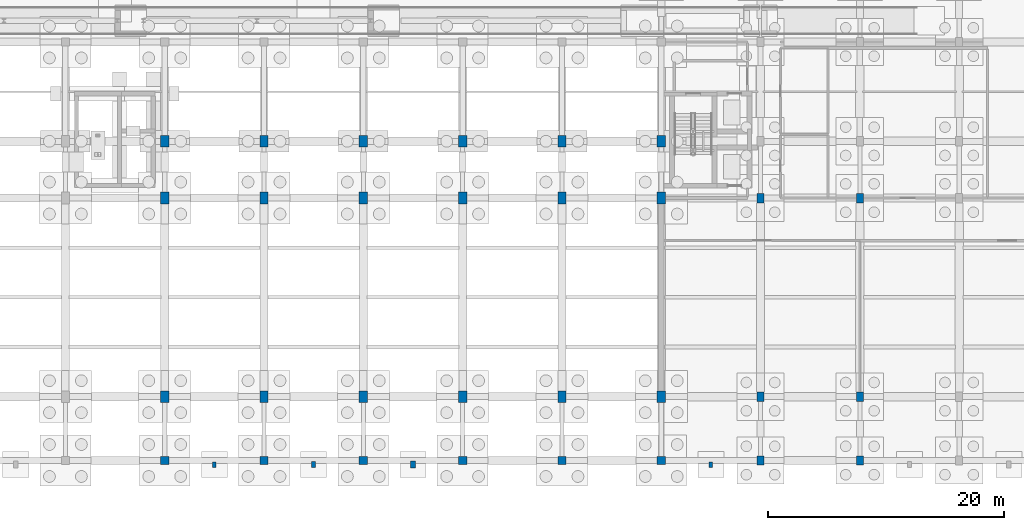
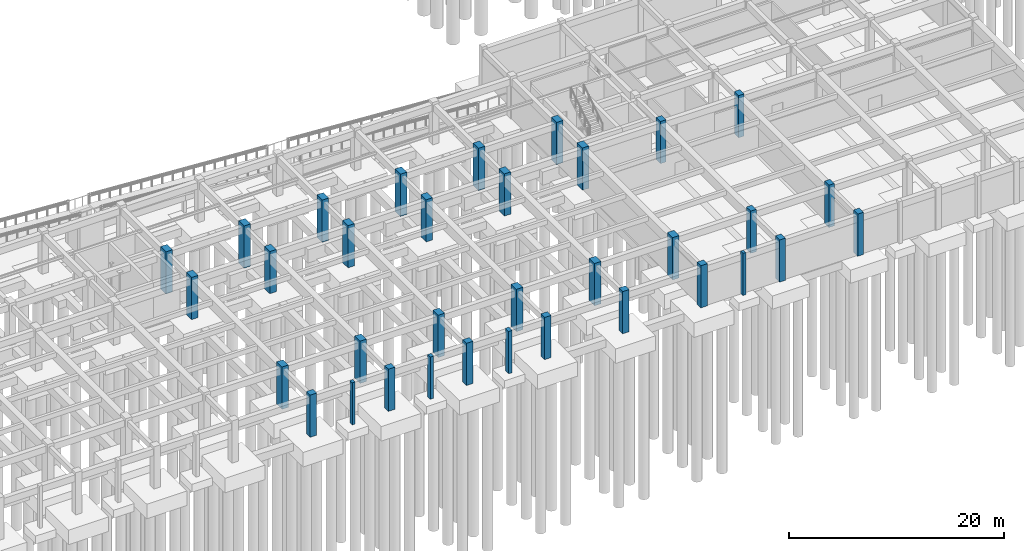
# One storey, part 18 of 49: 34 columns.
"""IFC4 building model written with IfcOpenShell, lengths in metres."""

from ifc_helpers import new_model, si_unit, direction, frame, origin, origin_2d, place, context, subcontext, project, spatial, rectangle, extrude, material, material_profile, profile_set, type_object, element, save


model = new_model("IFC4")

# Units and contexts
model_context = context("Model", 3, precision=1e-05, world=origin(), true_north=direction((0.0, 1.0)))
body_context = subcontext(model_context, "Body", "Model", "MODEL_VIEW")
ifc_project = project(units=[si_unit("LENGTHUNIT", "METRE"), si_unit("AREAUNIT", "SQUARE_METRE"), si_unit("VOLUMEUNIT", "CUBIC_METRE"), si_unit("PLANEANGLEUNIT", "RADIAN"), si_unit("MASSUNIT", "GRAM", prefix="KILO")], contexts=[model_context])

# Site, building, storey
site_placement = place(None, origin())
site = spatial("IfcSite", under=ifc_project, at=site_placement, CompositionType="ELEMENT")
building_placement = place(site_placement, origin())
building = spatial("IfcBuilding", under=site, at=building_placement, Name="Krzemoval Escarpment Law Courts", CompositionType="ELEMENT")
storey_placement = place(building_placement, frame((0.0, 0.0, -4.800048828125)))
storey = spatial("IfcBuildingStorey", under=building, at=storey_placement, Name="B1", CompositionType="ELEMENT", Elevation=-4.800048828125)

# Columns
ifc_material_1 = material(Name="Concrete C40/50", Category="concrete")
ifc_material_profile_1 = material_profile(ifc_material_1, rectangle(XDim=0.60009765625, YDim=0.800048828125, at=origin_2d()), Name="RC 600x800")
ifc_profile_set_1 = profile_set([ifc_material_profile_1], Name="Concrete C40/50")
column_type_1 = type_object("IfcColumnType", Name="COL-RC-600x800", PredefinedType="COLUMN", material=ifc_profile_set_1)
for number, where, z_axis, x_axis, name in (
    (1, (117.60009765625, 0.0, 0.0), (0.0, 0.0, 1.0), (1.0, 0.0, 0.0), "Column FC-B1-0160"),
    (2, (117.60009765625, 5.39990234375, 0.0), (0.0, 0.0, 1.0), (1.0, 0.0, 0.0), "Column FC-B1-0161"),
    (3, (117.60009765625, 22.199951171875, 0.0), (0.0, 0.0, 1.0), (1.0, 0.0, 0.0), "Column FC-B1-0162"),
    (4, (126.0, 0.0, 0.0), (0.0, 0.0, 1.0), (1.0, 0.0, 0.0), "Column FC-B1-0169"),
    (5, (126.0, 5.39990234375, 0.0), (0.0, 0.0, 1.0), (1.0, 0.0, 0.0), "Column FC-B1-0170"),
    (6, (126.0, 22.199951171875, 0.0), (0.0, 0.0, 1.0), (1.0, 0.0, 0.0), "Column FC-B1-0171"),
):
    element("IfcColumn", number, at=place(storey_placement, frame(where, z_axis=z_axis, x_axis=x_axis)), inside=storey, type_object=column_type_1, Name=name, PredefinedType="COLUMN", context=body_context, shape_type="SweptSolid", body=[
        extrude(rectangle(XDim=0.60009765625, YDim=0.800048828125, at=origin_2d()), origin(), (0.0, 0.0, 1.0), 4.800048828125),
    ])
ifc_material_2 = material(Name="Concrete C40/50", Category="concrete")
ifc_material_profile_2 = material_profile(ifc_material_2, rectangle(XDim=0.699951171875, YDim=0.699951171875, at=origin_2d()), Name="RC 700x700")
ifc_profile_set_2 = profile_set([ifc_material_profile_2], Name="Concrete C40/50")
column_type_2 = type_object("IfcColumnType", Name="COL-RC-700", PredefinedType="COLUMN", material=ifc_profile_set_2)
for number, where, z_axis, x_axis, name in (
    (7, (67.199951171875, 0.0, 0.0), (0.0, 0.0, 1.0), (1.0, 0.0, 0.0), "Column FC-B1-0111"),
    (8, (75.60009765625, 0.0, 0.0), (0.0, 0.0, 1.0), (1.0, 0.0, 0.0), "Column FC-B1-0119"),
    (9, (84.0, 0.0, 0.0), (0.0, 0.0, 1.0), (1.0, 0.0, 0.0), "Column FC-B1-0127"),
    (10, (92.39990234375, 0.0, 0.0), (0.0, 0.0, 1.0), (1.0, 0.0, 0.0), "Column FC-B1-0135"),
    (11, (100.800048828125, 0.0, 0.0), (0.0, 0.0, 1.0), (1.0, 0.0, 0.0), "Column FC-B1-0143"),
    (12, (109.199951171875, 0.0, 0.0), (0.0, 0.0, 1.0), (1.0, 0.0, 0.0), "Column FC-B1-0151"),
):
    element("IfcColumn", number, at=place(storey_placement, frame(where, z_axis=z_axis, x_axis=x_axis)), inside=storey, type_object=column_type_2, Name=name, PredefinedType="COLUMN", context=body_context, shape_type="SweptSolid", body=[
        extrude(rectangle(XDim=0.699951171875, YDim=0.699951171875, at=origin_2d()), origin(), (0.0, 0.0, 1.0), 4.800048828125),
    ])
ifc_material_3 = material(Name="Concrete C50/60", Category="concrete")
ifc_material_profile_3 = material_profile(ifc_material_3, rectangle(XDim=0.699951171875, YDim=1.0, at=origin_2d()), Name="RC 700x1000")
ifc_profile_set_3 = profile_set([ifc_material_profile_3], Name="Concrete C50/60")
column_type_3 = type_object("IfcColumnType", Name="COL-RC-700x1000", PredefinedType="COLUMN", material=ifc_profile_set_3)
for number, where, z_axis, x_axis, name in (
    (13, (67.199951171875, 5.39990234375, 0.0), (0.0, 0.0, 1.0), (1.0, 0.0, 0.0), "Column FC-B1-0112"),
    (14, (67.199951171875, 22.199951171875, 0.0), (0.0, 0.0, 1.0), (1.0, 0.0, 0.0), "Column FC-B1-0113"),
    (15, (67.199951171875, 27.0, 0.0), (0.0, 0.0, 1.0), (1.0, 0.0, 0.0), "Column FC-B1-0114"),
    (16, (75.60009765625, 5.39990234375, 0.0), (0.0, 0.0, 1.0), (1.0, 0.0, 0.0), "Column FC-B1-0120"),
    (17, (75.60009765625, 22.199951171875, 0.0), (0.0, 0.0, 1.0), (1.0, 0.0, 0.0), "Column FC-B1-0121"),
    (18, (75.60009765625, 27.0, 0.0), (0.0, 0.0, 1.0), (1.0, 0.0, 0.0), "Column FC-B1-0122"),
    (19, (84.0, 5.39990234375, 0.0), (0.0, 0.0, 1.0), (1.0, 0.0, 0.0), "Column FC-B1-0128"),
    (20, (84.0, 22.199951171875, 0.0), (0.0, 0.0, 1.0), (1.0, 0.0, 0.0), "Column FC-B1-0129"),
    (21, (84.0, 27.0, 0.0), (0.0, 0.0, 1.0), (1.0, 0.0, 0.0), "Column FC-B1-0130"),
    (22, (92.39990234375, 5.39990234375, 0.0), (0.0, 0.0, 1.0), (1.0, 0.0, 0.0), "Column FC-B1-0136"),
    (23, (92.39990234375, 22.199951171875, 0.0), (0.0, 0.0, 1.0), (1.0, 0.0, 0.0), "Column FC-B1-0137"),
    (24, (92.39990234375, 27.0, 0.0), (0.0, 0.0, 1.0), (1.0, 0.0, 0.0), "Column FC-B1-0138"),
    (25, (100.800048828125, 5.39990234375, 0.0), (0.0, 0.0, 1.0), (1.0, 0.0, 0.0), "Column FC-B1-0144"),
    (26, (100.800048828125, 22.199951171875, 0.0), (0.0, 0.0, 1.0), (1.0, 0.0, 0.0), "Column FC-B1-0145"),
    (27, (100.800048828125, 27.0, 0.0), (0.0, 0.0, 1.0), (1.0, 0.0, 0.0), "Column FC-B1-0146"),
    (28, (109.199951171875, 5.39990234375, 0.0), (0.0, 0.0, 1.0), (1.0, 0.0, 0.0), "Column FC-B1-0152"),
    (29, (109.199951171875, 22.199951171875, 0.0), (0.0, 0.0, 1.0), (1.0, 0.0, 0.0), "Column FC-B1-0153"),
    (30, (109.199951171875, 27.0, 0.0), (0.0, 0.0, 1.0), (1.0, 0.0, 0.0), "Column FC-B1-0154"),
):
    element("IfcColumn", number, at=place(storey_placement, frame(where, z_axis=z_axis, x_axis=x_axis)), inside=storey, type_object=column_type_3, Name=name, PredefinedType="COLUMN", context=body_context, shape_type="SweptSolid", body=[
        extrude(rectangle(XDim=0.699951171875, YDim=1.0, at=origin_2d()), origin(), (0.0, 0.0, 1.0), 4.800048828125),
    ])
ifc_material_4 = material(Name="Precast concrete C40/50", Category="concrete")
ifc_material_profile_4 = material_profile(ifc_material_4, rectangle(XDim=0.300048828125, YDim=0.449951171875, at=origin_2d()), Name="PIL 300x450")
ifc_profile_set_4 = profile_set([ifc_material_profile_4], Name="Precast concrete C40/50")
column_type_4 = type_object("IfcColumnType", Name="PIL-PC-300x450", PredefinedType="PILASTER", material=ifc_profile_set_4)
for number, where, z_axis, x_axis, name in (
    (31, (71.39990234375, -0.35009765625, 0.0), (0.0, 0.0, 1.0), (1.0, 0.0, 0.0), "Facade Pilaster PIL-B1-031"),
    (32, (113.39990234375, -0.35009765625, 0.0), (0.0, 0.0, 1.0), (1.0, 0.0, 0.0), "Facade Pilaster PIL-B1-046"),
):
    element("IfcColumn", number, at=place(storey_placement, frame(where, z_axis=z_axis, x_axis=x_axis)), inside=storey, type_object=column_type_4, Name=name, PredefinedType="PILASTER", context=body_context, shape_type="SweptSolid", body=[
        extrude(rectangle(XDim=0.300048828125, YDim=0.449951171875, at=origin_2d()), origin(), (0.0, 0.0, 1.0), 4.800048828125),
    ])
ifc_material_5 = material(Name="Precast concrete C40/50", Category="concrete")
ifc_material_profile_5 = material_profile(ifc_material_5, rectangle(XDim=0.35009765625, YDim=0.5, at=origin_2d()), Name="PIL 350x500")
ifc_profile_set_5 = profile_set([ifc_material_profile_5], Name="Precast concrete C40/50")
column_type_5 = type_object("IfcColumnType", Name="PIL-PC-350x500", PredefinedType="PILASTER", material=ifc_profile_set_5)
column_1_placement = place(storey_placement, frame((79.800048828125, -0.35009765625, 0.0), z_axis=(0.0, 0.0, 1.0), x_axis=(1.0, 0.0, 0.0)))
element("IfcColumn", 33, at=column_1_placement, inside=storey, type_object=column_type_5, Name="Facade Pilaster PIL-B1-036", PredefinedType="PILASTER", context=body_context, shape_type="SweptSolid", body=[
    extrude(rectangle(XDim=0.35009765625, YDim=0.5, at=origin_2d()), origin(), (0.0, 0.0, 1.0), 4.800048828125),
])
ifc_material_6 = material(Name="Precast concrete C40/50", Category="concrete")
ifc_material_profile_6 = material_profile(ifc_material_6, rectangle(XDim=0.39990234375, YDim=0.60009765625, at=origin_2d()), Name="PIL 400x600")
ifc_profile_set_6 = profile_set([ifc_material_profile_6], Name="Precast concrete C40/50")
column_type_6 = type_object("IfcColumnType", Name="PIL-PC-400x600", PredefinedType="PILASTER", material=ifc_profile_set_6)
column_2_placement = place(storey_placement, frame((88.199951171875, -0.35009765625, 0.0), z_axis=(0.0, 0.0, 1.0), x_axis=(1.0, 0.0, 0.0)))
element("IfcColumn", 34, at=column_2_placement, inside=storey, type_object=column_type_6, Name="Facade Pilaster PIL-B1-041", PredefinedType="PILASTER", context=body_context, shape_type="SweptSolid", body=[
    extrude(rectangle(XDim=0.39990234375, YDim=0.60009765625, at=origin_2d()), origin(), (0.0, 0.0, 1.0), 4.800048828125),
])

save(model, "model.ifc")
